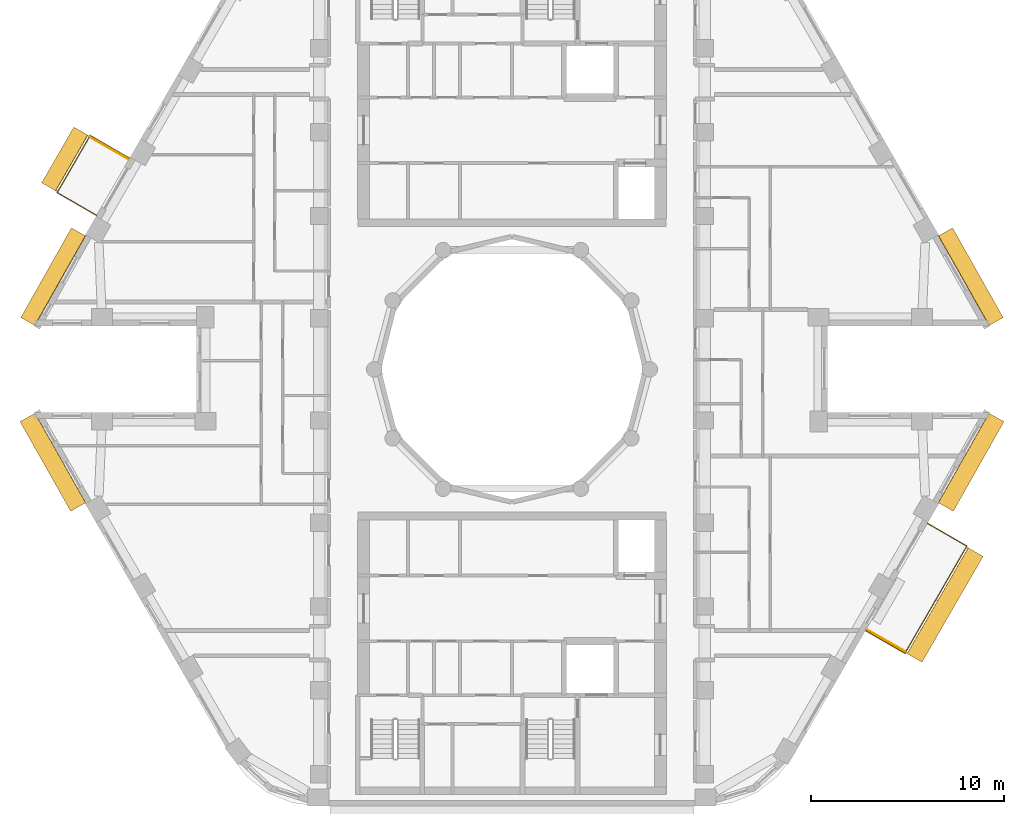
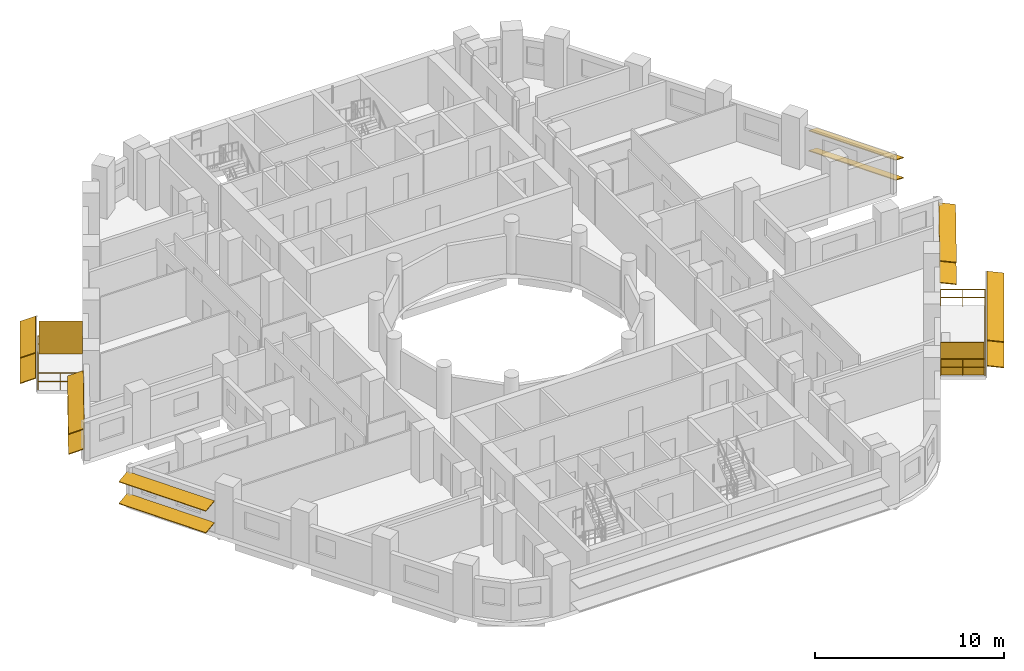
# One storey, part 13 of 14: 14 shading devices, 2 railings.
"""IFC4 building model written with IfcOpenShell, lengths in metres."""

from ifc_helpers import new_model, si_unit, direction, frame, origin, origin_2d, place, context, subcontext, project, spatial, rectangle, circle, extrude, material, layer, layer_set, material_profile, profile_set, type_object, element, save


model = new_model("IFC4")

# Units and contexts
model_context = context("Model", 3, precision=1e-05, world=origin(), true_north=direction((0.0, 1.0)))
body_context = subcontext(model_context, "Body", "Model", "MODEL_VIEW")
ifc_project = project(units=[si_unit("LENGTHUNIT", "METRE"), si_unit("AREAUNIT", "SQUARE_METRE"), si_unit("VOLUMEUNIT", "CUBIC_METRE"), si_unit("PLANEANGLEUNIT", "RADIAN"), si_unit("MASSUNIT", "GRAM", prefix="KILO")], contexts=[model_context])

# Site, building, storey
site_placement = place(None, origin())
site = spatial("IfcSite", under=ifc_project, at=site_placement, CompositionType="ELEMENT")
building_placement = place(site_placement, origin())
building = spatial("IfcBuilding", under=site, at=building_placement, Name="Nakaniwa Court", CompositionType="ELEMENT")
storey_placement = place(building_placement, frame((0.0, 0.0, 265.800048828125)))
storey = spatial("IfcBuildingStorey", under=building, at=storey_placement, Name="L70", CompositionType="ELEMENT", Elevation=265.800048828125)

# Railings
ifc_material_1 = material(Name="Black powder-coated steel flat bar balustrade S275", Category="steel")
railing_type = type_object("IfcRailingType", Name="Black metal balcony guard 1100", PredefinedType="GUARDRAIL", material=ifc_material_1)
railing_1_placement = place(storey_placement, frame((60.166015625, 90.946533203125, -0.050048828125)))
element("IfcRailing", 1, at=railing_1_placement, inside=storey, type_object=railing_type, Name="L70 balcony guard 01", PredefinedType="GUARDRAIL", context=body_context, shape_type="SweptSolid", body=[
    extrude(circle(Radius=0.02392578125, at=origin_2d()), frame((0.0, 0.0, 1.076171875), z_axis=(-0.866051224006, 0.499955275397, 0.0), x_axis=(-0.499955275397, -0.866051224006, 0.0)), (0.0, 0.0, 1.0), 2.360107421875),
    extrude(circle(Radius=0.02392578125, at=origin_2d()), frame((0.0, 0.0, 0.550048828125), z_axis=(-0.866051224006, 0.499955275397, 0.0), x_axis=(-0.499955275397, -0.866051224006, 0.0)), (0.0, 0.0, 1.0), 2.360107421875),
    extrude(circle(Radius=0.02392578125, at=origin_2d()), frame((-2.0439453125, 1.179931640625, 1.076171875), z_axis=(-0.499963508271, -0.866046471269, 0.0), x_axis=(0.866046471269, -0.499963508271, 0.0)), (0.0, 0.0, 1.0), 3.419189453125),
    extrude(circle(Radius=0.02392578125, at=origin_2d()), frame((-2.0439453125, 1.179931640625, 0.550048828125), z_axis=(-0.499963508271, -0.866046471269, 0.0), x_axis=(0.866046471269, -0.499963508271, 0.0)), (0.0, 0.0, 1.0), 3.419189453125),
    extrude(circle(Radius=0.02392578125, at=origin_2d()), frame((-3.75341796875, -1.78125, 1.076171875), z_axis=(0.866025363618, -0.50000006957, 0.0), x_axis=(0.50000006957, 0.866025363618, 0.0)), (0.0, 0.0, 1.0), 2.35986328125),
    extrude(circle(Radius=0.02392578125, at=origin_2d()), frame((-3.75341796875, -1.78125, 0.550048828125), z_axis=(0.866025363618, -0.50000006957, 0.0), x_axis=(0.50000006957, 0.866025363618, 0.0)), (0.0, 0.0, 1.0), 2.35986328125),
    extrude(circle(Radius=0.02099609375, at=origin_2d()), origin(), (0.0, 0.0, 1.0), 1.052001953125),
    extrude(circle(Radius=0.02099609375, at=origin_2d()), frame((-1.02197265625, 0.58984375, 0.0)), (0.0, 0.0, 1.0), 1.052001953125),
    extrude(circle(Radius=0.02099609375, at=origin_2d()), frame((-2.0439453125, 1.179931640625, 0.0)), (0.0, 0.0, 1.0), 1.052001953125),
    extrude(circle(Radius=0.02099609375, at=origin_2d()), frame((-2.61376953125, 0.19287109375, 0.0)), (0.0, 0.0, 1.0), 1.052001953125),
    extrude(circle(Radius=0.02099609375, at=origin_2d()), frame((-3.18359375, -0.794189453125, 0.0)), (0.0, 0.0, 1.0), 1.052001953125),
    extrude(circle(Radius=0.02099609375, at=origin_2d()), frame((-3.75341796875, -1.78125, 0.0)), (0.0, 0.0, 1.0), 1.052001953125),
    extrude(circle(Radius=0.02099609375, at=origin_2d()), frame((-2.7314453125, -2.37109375, 0.0)), (0.0, 0.0, 1.0), 1.052001953125),
    extrude(circle(Radius=0.02099609375, at=origin_2d()), frame((-1.709716796875, -2.961181640625, 0.0)), (0.0, 0.0, 1.0), 1.052001953125),
])
railing_2_placement = place(storey_placement, frame((98.333984375, 66.455322265625, -0.050048828125)))
element("IfcRailing", 2, at=railing_2_placement, inside=storey, type_object=railing_type, Name="L70 balcony guard 02", PredefinedType="GUARDRAIL", context=body_context, shape_type="SweptSolid", body=[
    extrude(circle(Radius=0.02392578125, at=origin_2d()), frame((0.0, 0.0, 1.076171875), z_axis=(0.866051224006, -0.499955275397, 0.0), x_axis=(0.499955275397, 0.866051224006, 0.0)), (0.0, 0.0, 1.0), 2.360107421875),
    extrude(circle(Radius=0.02392578125, at=origin_2d()), frame((0.0, 0.0, 0.550048828125), z_axis=(0.866051224006, -0.499955275397, 0.0), x_axis=(0.499955275397, 0.866051224006, 0.0)), (0.0, 0.0, 1.0), 2.360107421875),
    extrude(circle(Radius=0.02392578125, at=origin_2d()), frame((2.0439453125, -1.179931640625, 1.076171875), z_axis=(0.499975954304, 0.866039286129, 0.0), x_axis=(-0.866039286129, 0.499975954304, 0.0)), (0.0, 0.0, 1.0), 6.419189453125),
    extrude(circle(Radius=0.02392578125, at=origin_2d()), frame((2.0439453125, -1.179931640625, 0.550048828125), z_axis=(0.499975954304, 0.866039286129, 0.0), x_axis=(-0.866039286129, 0.499975954304, 0.0)), (0.0, 0.0, 1.0), 6.419189453125),
    extrude(circle(Radius=0.02392578125, at=origin_2d()), frame((5.25341796875, 4.37939453125, 1.076171875), z_axis=(-0.866025363618, 0.50000006957, 0.0), x_axis=(-0.50000006957, -0.866025363618, 0.0)), (0.0, 0.0, 1.0), 2.35986328125),
    extrude(circle(Radius=0.02392578125, at=origin_2d()), frame((5.25341796875, 4.37939453125, 0.550048828125), z_axis=(-0.866025363618, 0.50000006957, 0.0), x_axis=(-0.50000006957, -0.866025363618, 0.0)), (0.0, 0.0, 1.0), 2.35986328125),
    extrude(circle(Radius=0.02099609375, at=origin_2d()), origin(), (0.0, 0.0, 1.0), 1.052001953125),
    extrude(circle(Radius=0.02099609375, at=origin_2d()), frame((1.02197265625, -0.58984375, 0.0)), (0.0, 0.0, 1.0), 1.052001953125),
    extrude(circle(Radius=0.02099609375, at=origin_2d()), frame((2.0439453125, -1.179931640625, 0.0)), (0.0, 0.0, 1.0), 1.052001953125),
    extrude(circle(Radius=0.02099609375, at=origin_2d()), frame((2.578857421875, -0.25341796875, 0.0)), (0.0, 0.0, 1.0), 1.052001953125),
    extrude(circle(Radius=0.02099609375, at=origin_2d()), frame((3.11376953125, 0.673095703125, 0.0)), (0.0, 0.0, 1.0), 1.052001953125),
    extrude(circle(Radius=0.02099609375, at=origin_2d()), frame((3.648681640625, 1.599609375, 0.0)), (0.0, 0.0, 1.0), 1.052001953125),
    extrude(circle(Radius=0.02099609375, at=origin_2d()), frame((4.18359375, 2.5263671875, 0.0)), (0.0, 0.0, 1.0), 1.052001953125),
    extrude(circle(Radius=0.02099609375, at=origin_2d()), frame((4.718505859375, 3.452880859375, 0.0)), (0.0, 0.0, 1.0), 1.052001953125),
    extrude(circle(Radius=0.02099609375, at=origin_2d()), frame((5.25341796875, 4.37939453125, 0.0)), (0.0, 0.0, 1.0), 1.052001953125),
    extrude(circle(Radius=0.02099609375, at=origin_2d()), frame((4.2314453125, 4.96923828125, 0.0)), (0.0, 0.0, 1.0), 1.052001953125),
    extrude(circle(Radius=0.02099609375, at=origin_2d()), frame((3.209716796875, 5.559326171875, 0.0)), (0.0, 0.0, 1.0), 1.052001953125),
])

# Shading devices
ifc_material_2 = material(Name="Black powder-coated aluminium slat screen", Category="aluminium")
ifc_layer = layer(ifc_material_2, 0.0400390625)
ifc_layer_set = layer_set([ifc_layer], Name="Black powder-coated aluminium slat screen")
shading_device_type_1 = type_object("IfcShadingDeviceType", Name="Koshi screen black metal", PredefinedType="USERDEFINED", material=ifc_layer_set)
for number, where, z_axis, x_axis, name in (
    (3, (59.125732421875, 91.45458984375, -0.050048828125), (0.0, 0.0, 1.0), (-0.499986396443, -0.866033257659, 0.0), "L70 balcony SCREEN 01 W"),
    (4, (99.37451171875, 65.947265625, -0.050048828125), (0.0, 0.0, 1.0), (0.499986396443, 0.866033257659, 0.0), "L70 balcony SCREEN 02 W"),
):
    element("IfcShadingDevice", number, at=place(storey_placement, frame(where, z_axis=z_axis, x_axis=x_axis)), inside=storey, type_object=shading_device_type_1, Name=name, ObjectType="KOSHI SCREEN", PredefinedType="USERDEFINED", context=body_context, shape_type="SweptSolid", body=[
        extrude(rectangle(XDim=0.0400390625, YDim=2.31005859375, at=origin_2d()), origin(), (0.0, 0.0, 1.0), 2.10009765625),
    ])
ifc_material_3 = material(Name="Perforated charcoal ceramic louvre blade")
ifc_material_profile = material_profile(ifc_material_3, rectangle(XDim=0.89990234375, YDim=0.050048828125, at=origin_2d()), Name="Perforated ceramic louvre blade")
ifc_profile_set = profile_set([ifc_material_profile], Name="Perforated charcoal ceramic louvre blade")
shading_device_type_2 = type_object("IfcShadingDeviceType", Name="Perforated ceramic louvre blade", PredefinedType="JALOUSIE", material=ifc_profile_set)
for number, where, z_axis, x_axis, name in (
    (5, (57.647216796875, 92.3544921875, 0.5), (-0.499960849739, -0.866048006018, 0.0), (0.800124026933, -0.46190359613, 0.382683432365), "L70 perforated ceramic louvre blade 01 1"),
    (6, (57.647216796875, 92.3544921875, 2.14990234375), (-0.499960849739, -0.866048006018, 0.0), (0.800124026933, -0.46190359613, 0.382683432365), "L70 perforated ceramic louvre blade 01 2"),
):
    element("IfcShadingDevice", number, at=place(storey_placement, frame(where, z_axis=z_axis, x_axis=x_axis)), inside=storey, type_object=shading_device_type_2, Name=name, PredefinedType="JALOUSIE", context=body_context, shape_type="SweptSolid", body=[
        extrude(rectangle(XDim=0.89990234375, YDim=0.050048828125, at=origin_2d()), origin(), (0.0, 0.0, 1.0), 3.339111328125),
    ])
for number, where, z_axis, x_axis, name in (
    (7, (100.873779296875, 65.035400390625, 0.5), (0.499991387631, 0.866030376081, 0.0), (-0.858621366159, 0.495713891998, 0.13052619222), "L70 perforated ceramic louvre blade 02 1"),
    (8, (100.873779296875, 65.035400390625, 2.14990234375), (0.499991387631, 0.866030376081, 0.0), (-0.858621366159, 0.495713891998, 0.13052619222), "L70 perforated ceramic louvre blade 02 2"),
):
    element("IfcShadingDevice", number, at=place(storey_placement, frame(where, z_axis=z_axis, x_axis=x_axis)), inside=storey, type_object=shading_device_type_2, Name=name, PredefinedType="JALOUSIE", context=body_context, shape_type="SweptSolid", body=[
        extrude(rectangle(XDim=0.89990234375, YDim=0.050048828125, at=origin_2d()), origin(), (0.0, 0.0, 1.0), 6.3388671875),
    ])
for number, where, z_axis, x_axis, name in (
    (9, (105.103759765625, 82.480224609375, 0.550048828125), (-0.492088911474, 0.870544946114, 0.0), (-0.804858877011, -0.454958851288, 0.38107037635), "L70 perforated ceramic louvre blade w02 1"),
    (10, (105.103759765625, 82.480224609375, 1.845458984375), (-0.492088911474, 0.870544946114, 0.0), (-0.804858877011, -0.454958851288, 0.38107037635), "L70 perforated ceramic louvre blade w02 2"),
    (11, (57.5224609375, 87.126220703125, 0.550048828125), (-0.492088911474, -0.870544946114, 0.0), (0.804858877011, -0.454958851288, 0.38107037635), "L70 perforated ceramic louvre blade w14 1"),
    (12, (57.5224609375, 87.126220703125, 1.845458984375), (-0.492088911474, -0.870544946114, 0.0), (0.804858877011, -0.454958851288, 0.38107037635), "L70 perforated ceramic louvre blade w14 2"),
):
    element("IfcShadingDevice", number, at=place(storey_placement, frame(where, z_axis=z_axis, x_axis=x_axis)), inside=storey, type_object=shading_device_type_2, Name=name, PredefinedType="JALOUSIE", context=body_context, shape_type="SweptSolid", body=[
        extrude(rectangle(XDim=0.89990234375, YDim=0.050048828125, at=origin_2d()), origin(), (0.0, 0.0, 1.0), 5.3369140625),
    ])
for number, where, z_axis, x_axis, name in (
    (13, (54.87548828125, 77.508056640625, 0.550048828125), (0.492108509021, -0.870533868008, 0.0), (0.862886698285, 0.487785601632, 0.132256390257), "L70 perforated ceramic louvre blade w20 1"),
    (14, (54.87548828125, 77.508056640625, 1.95556640625), (0.492108509021, -0.870533868008, 0.0), (0.862886698285, 0.487785601632, 0.132256390257), "L70 perforated ceramic louvre blade w20 2"),
    (15, (102.498291015625, 72.8623046875, 0.550048828125), (0.492108509021, 0.870533868008, 0.0), (-0.862886698285, 0.487785601632, 0.132256390257), "L70 perforated ceramic louvre blade w32 1"),
    (16, (102.498291015625, 72.8623046875, 1.95556640625), (0.492108509021, 0.870533868008, 0.0), (-0.862886698285, 0.487785601632, 0.132256390257), "L70 perforated ceramic louvre blade w32 2"),
):
    element("IfcShadingDevice", number, at=place(storey_placement, frame(where, z_axis=z_axis, x_axis=x_axis)), inside=storey, type_object=shading_device_type_2, Name=name, PredefinedType="JALOUSIE", context=body_context, shape_type="SweptSolid", body=[
        extrude(rectangle(XDim=0.89990234375, YDim=0.050048828125, at=origin_2d()), origin(), (0.0, 0.0, 1.0), 5.336669921875),
    ])

save(model, "model.ifc")
